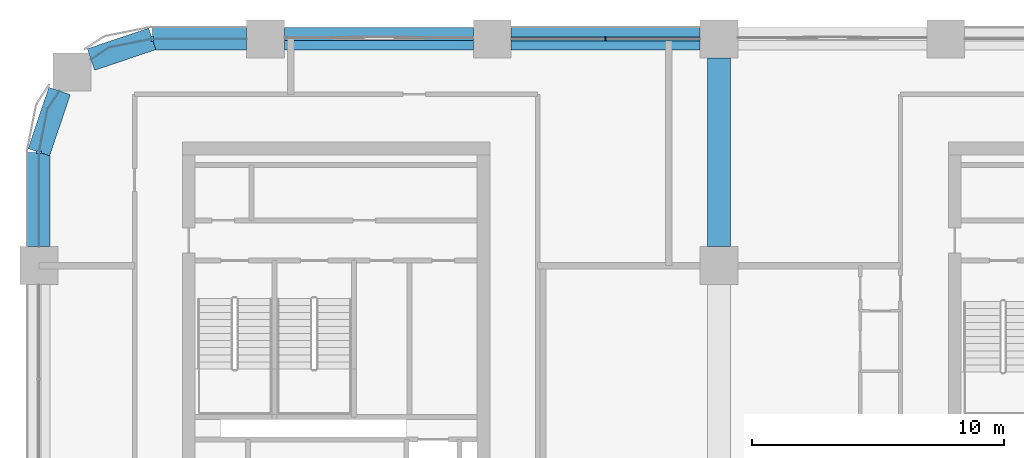
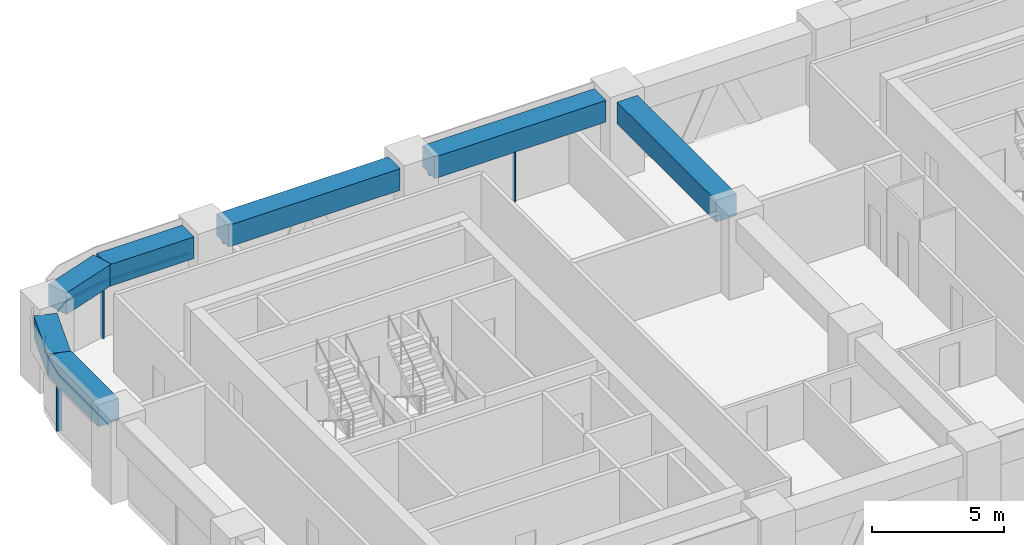
# One storey, part 4 of 19: 7 beams, 7 members, 4 elements without a shape of their own.
"""IFC4 building model written with IfcOpenShell, lengths in metres."""

from ifc_helpers import new_model, si_unit, direction, frame, origin, origin_2d, place, context, subcontext, project, spatial, polyline, rectangle, outline, extrude, material, material_profile, profile_set, type_object, element, aggregate, save


model = new_model("IFC4")

# Units and contexts
model_context = context("Model", 3, precision=1e-05, world=origin(), true_north=direction((0.0, 1.0)))
body_context = subcontext(model_context, "Body", "Model", "MODEL_VIEW")
ifc_project = project(units=[si_unit("LENGTHUNIT", "METRE"), si_unit("AREAUNIT", "SQUARE_METRE"), si_unit("VOLUMEUNIT", "CUBIC_METRE"), si_unit("PLANEANGLEUNIT", "RADIAN"), si_unit("MASSUNIT", "GRAM", prefix="KILO")], contexts=[model_context])

# Site, building, storey
site_placement = place(None, origin())
site = spatial("IfcSite", under=ifc_project, at=site_placement, CompositionType="ELEMENT")
building_placement = place(site_placement, origin())
building = spatial("IfcBuilding", under=site, at=building_placement, Name="Tessera Arch", CompositionType="ELEMENT")
storey_placement = place(building_placement, frame((0.0, 0.0, 170.0)))
storey = spatial("IfcBuildingStorey", under=building, at=storey_placement, Name="L40", CompositionType="ELEMENT", Elevation=170.0)

# Curtain wall, members
ifc_material_1 = material(Name="CW1 curtain wall")
curtain_wall_type_1 = type_object("IfcCurtainWallType", Name="CW1 curtain wall", PredefinedType="NOTDEFINED", material=ifc_material_1)
curtain_wall_1_placement = place(storey_placement, origin())
curtain_wall_1 = element("IfcCurtainWall", 1, at=curtain_wall_1_placement, inside=storey, type_object=curtain_wall_type_1, Name="CW1 curtain wall N54.0/3 L40", PredefinedType="NOTDEFINED")
ifc_material_2 = material(Name="Anodised aluminium pale metal", Category="aluminium")
ifc_material_profile_1 = material_profile(ifc_material_2, rectangle(XDim=0.159912109375, YDim=0.06005859375, at=origin_2d()), Name="AL 60x160")
ifc_profile_set_1 = profile_set([ifc_material_profile_1], Name="Anodised aluminium pale metal")
member_type_1 = type_object("IfcMemberType", Name="CW1 mullion", PredefinedType="MULLION", material=ifc_profile_set_1)
member_1_placement = place(storey_placement, frame((22.5, 54.0, 0.0), z_axis=(0.0, 0.0, 1.0), x_axis=(0.0, -1.0, 0.0)))
member_1 = element("IfcMember", 2, at=member_1_placement, type_object=member_type_1, Name="CW1 mullion N54.0/3 1", PredefinedType="MULLION", context=body_context, shape_type="SweptSolid", body=[
    extrude(rectangle(XDim=0.159912109375, YDim=0.06005859375, at=origin_2d()), origin(), (0.0, 0.0, 1.0), 2.5),
])
ifc_material_3 = material(Name="Anodised aluminium pale metal", Category="aluminium")
ifc_material_profile_2 = material_profile(ifc_material_3, rectangle(XDim=0.159912109375, YDim=0.10009765625, at=origin_2d()), Name="AL 160x100")
ifc_profile_set_2 = profile_set([ifc_material_profile_2], Name="Anodised aluminium pale metal")
member_type_2 = type_object("IfcMemberType", Name="CW1 transom", PredefinedType="USERDEFINED", material=ifc_profile_set_2)
member_2_placement = place(storey_placement, frame((26.25, 54.0, 2.550048828125), z_axis=(-1.0, 0.0, 0.0), x_axis=(0.0, -1.0, 0.0)))
member_2 = element("IfcMember", 3, at=member_2_placement, type_object=member_type_2, Name="CW1 transom N54.0/3 1.1", ObjectType="TRANSOM", PredefinedType="USERDEFINED", context=body_context, shape_type="SweptSolid", body=[
    extrude(rectangle(XDim=0.159912109375, YDim=0.10009765625, at=origin_2d()), origin(), (0.0, 0.0, 1.0), 7.5),
])
aggregate(curtain_wall_1, [member_1, member_2])

# Curtain wall, member
ifc_material_4 = material(Name="CW2 curtain wall")
curtain_wall_type_2 = type_object("IfcCurtainWallType", Name="CW2 curtain wall", PredefinedType="NOTDEFINED", material=ifc_material_4)
curtain_wall_2_placement = place(storey_placement, origin())
curtain_wall_2 = element("IfcCurtainWall", 4, at=curtain_wall_2_placement, inside=storey, type_object=curtain_wall_type_2, Name="CW2 curtain wall N54.0/5 L40", PredefinedType="NOTDEFINED")
ifc_material_5 = material(Name="Anodised aluminium pale metal", Category="aluminium")
ifc_material_profile_3 = material_profile(ifc_material_5, rectangle(XDim=0.199951171875, YDim=0.080078125, at=origin_2d()), Name="AL 80x200")
ifc_profile_set_3 = profile_set([ifc_material_profile_3], Name="Anodised aluminium pale metal")
member_type_3 = type_object("IfcMemberType", Name="CW2 mullion", PredefinedType="MULLION", material=ifc_profile_set_3)
member_3_placement = place(storey_placement, frame((4.5, 54.0, 0.0), z_axis=(0.0, 0.0, 1.0), x_axis=(0.0, -1.0, 0.0)))
member_3 = element("IfcMember", 5, at=member_3_placement, type_object=member_type_3, Name="CW2 mullion N54.0/5 1", PredefinedType="MULLION", context=body_context, shape_type="SweptSolid", body=[
    extrude(rectangle(XDim=0.199951171875, YDim=0.080078125, at=origin_2d()), origin(), (0.0, 0.0, 1.0), 2.5),
])

curtain_wall_3_placement = place(storey_placement, origin())
curtain_wall_3 = element("IfcCurtainWall", 6, at=curtain_wall_3_placement, inside=storey, type_object=curtain_wall_type_2, Name="CW2 curtain wall W0.27/0 L40", PredefinedType="NOTDEFINED")
member_4_placement = place(storey_placement, frame((0.0, 49.5, 0.0), z_axis=(0.0, 0.0, 1.0), x_axis=(1.0, 0.0, 0.0)))
member_4 = element("IfcMember", 7, at=member_4_placement, type_object=member_type_3, Name="CW2 mullion W0.27/0 1", PredefinedType="MULLION", context=body_context, shape_type="SweptSolid", body=[
    extrude(rectangle(XDim=0.199951171875, YDim=0.080078125, at=origin_2d()), origin(), (0.0, 0.0, 1.0), 2.5),
])

# Member
ifc_material_6 = material(Name="Anodised aluminium pale metal", Category="aluminium")
ifc_material_profile_4 = material_profile(ifc_material_6, rectangle(XDim=0.199951171875, YDim=0.10009765625, at=origin_2d()), Name="AL 200x100")
ifc_profile_set_4 = profile_set([ifc_material_profile_4], Name="Anodised aluminium pale metal")
member_type_4 = type_object("IfcMemberType", Name="CW2 transom", PredefinedType="USERDEFINED", material=ifc_profile_set_4)
member_5_placement = place(storey_placement, frame((0.0, 0.0, 2.5)))
member_5 = element("IfcMember", 8, at=member_5_placement, type_object=member_type_4, Name="CW2 transom N54.0/5 1", ObjectType="TRANSOM", PredefinedType="USERDEFINED", context=body_context, shape_type="SweptSolid", body=[
    extrude(outline(polyline([(4.5009765625, 53.989990234375), (8.25, 53.989990234375), (8.25, 54.010009765625), (4.4990234375, 54.010009765625), (2.77392578125, 53.6669921875), (2.0625, 53.19140625), (2.073486328125, 53.1748046875), (2.78173828125, 53.648193359375), (4.5009765625, 53.989990234375)])), origin(), (0.0, 0.0, 1.0), 0.10009765625),
])

aggregate(curtain_wall_2, [member_3, member_5])

member_6_placement = place(storey_placement, frame((0.0, 0.0, 2.5)))
member_6 = element("IfcMember", 9, at=member_6_placement, type_object=member_type_4, Name="CW2 transom W0.27/0 1", ObjectType="TRANSOM", PredefinedType="USERDEFINED", context=body_context, shape_type="SweptSolid", body=[
    extrude(outline(polyline([(0.351806640625, 51.21826171875), (0.8251953125, 51.926513671875), (0.80859375, 51.9375), (0.3330078125, 51.22607421875), (-0.010009765625, 49.5009765625), (-0.010009765625, 45.75), (0.010009765625, 45.75), (0.010009765625, 49.4990234375), (0.351806640625, 51.21826171875)])), origin(), (0.0, 0.0, 1.0), 0.10009765625),
])

aggregate(curtain_wall_3, [member_4, member_6])

# Curtain wall, member
ifc_material_7 = material(Name="CW3 curtain wall")
curtain_wall_type_3 = type_object("IfcCurtainWallType", Name="CW3 curtain wall", PredefinedType="NOTDEFINED", material=ifc_material_7)
curtain_wall_4_placement = place(storey_placement, origin())
curtain_wall_4 = element("IfcCurtainWall", 10, at=curtain_wall_4_placement, inside=storey, type_object=curtain_wall_type_3, Name="CW3 curtain wall N54.0/4 L40", PredefinedType="NOTDEFINED")
ifc_material_8 = material(Name="Anodised aluminium pale metal", Category="aluminium")
ifc_material_profile_5 = material_profile(ifc_material_8, rectangle(XDim=0.139892578125, YDim=0.10009765625, at=origin_2d()), Name="AL 140x100")
ifc_profile_set_5 = profile_set([ifc_material_profile_5], Name="Anodised aluminium pale metal")
member_type_5 = type_object("IfcMemberType", Name="CW3 transom", PredefinedType="USERDEFINED", material=ifc_profile_set_5)
member_7_placement = place(storey_placement, frame((17.25, 54.0, 2.550048828125), z_axis=(-1.0, 0.0, 0.0), x_axis=(0.0, -1.0, 0.0)))
member_7 = element("IfcMember", 11, at=member_7_placement, type_object=member_type_5, Name="CW3 transom N54.0/4 1.1", ObjectType="TRANSOM", PredefinedType="USERDEFINED", context=body_context, shape_type="SweptSolid", body=[
    extrude(rectangle(XDim=0.139892578125, YDim=0.10009765625, at=origin_2d()), origin(), (0.0, 0.0, 1.0), 7.5),
])
aggregate(curtain_wall_4, [member_7])

# Beams
ifc_material_9 = material(Name="Concrete C70/85", Category="concrete")
ifc_material_profile_6 = material_profile(ifc_material_9, rectangle(XDim=0.89990234375, YDim=1.0, at=origin_2d()), Name="RC spandrel beam 900 x 1000 Concrete C70/85")
ifc_profile_set_6 = profile_set([ifc_material_profile_6], Name="Concrete C70/85")
beam_type = type_object("IfcBeamType", Name="RC spandrel beam 900 x 1000 Concrete C70/85", PredefinedType="BEAM", material=ifc_profile_set_6)
for number, where, z_axis, x_axis, name in (
    (12, (26.25, 54.0, 3.10009765625), (-1.0, 0.0, 0.0), (0.0, -1.0, 0.0), "Spandrel beam L40 N54.0/3"),
    (13, (17.25, 54.0, 3.10009765625), (-1.0, 0.0, 0.0), (0.0, -1.0, 0.0), "Spandrel beam L40 N54.0/4"),
):
    element("IfcBeam", number, at=place(storey_placement, frame(where, z_axis=z_axis, x_axis=x_axis)), inside=storey, type_object=beam_type, Name=name, PredefinedType="BEAM", context=body_context, shape_type="SweptSolid", body=[
        extrude(rectangle(XDim=0.89990234375, YDim=1.0, at=origin_2d()), origin(), (0.0, 0.0, 1.0), 7.5),
    ])
beam_1_placement = place(storey_placement, frame((8.25, 54.0, 3.10009765625), z_axis=(-1.0, 0.0, 0.0), x_axis=(0.0, -1.0, 0.0)))
element("IfcBeam", 14, at=beam_1_placement, inside=storey, type_object=beam_type, Name="Spandrel beam L40 N54.0/5.1", PredefinedType="BEAM", context=body_context, shape_type="SweptSolid", body=[
    extrude(rectangle(XDim=0.89990234375, YDim=1.0, at=origin_2d()), origin(), (0.0, 0.0, 1.0), 3.75),
])
for number, where, z_axis, x_axis, name in (
    (15, (4.5, 54.0, 3.10009765625), (-0.947947973234, -0.31842525032, 0.0), (0.31842525032, -0.947947973234, 0.0), "Spandrel beam L40 N54.0/5.2"),
    (16, (0.81689453125, 51.931884765625, 3.10009765625), (-0.31842525032, -0.947947973234, 0.0), (0.947947973234, -0.31842525032, 0.0), "Spandrel beam L40 W0.27/0.1"),
):
    element("IfcBeam", number, at=place(storey_placement, frame(where, z_axis=z_axis, x_axis=x_axis)), inside=storey, type_object=beam_type, Name=name, PredefinedType="BEAM", context=body_context, shape_type="SweptSolid", body=[
        extrude(rectangle(XDim=0.89990234375, YDim=1.0, at=origin_2d()), origin(), (0.0, 0.0, 1.0), 2.5654296875),
    ])
beam_2_placement = place(storey_placement, frame((0.0, 49.5, 3.10009765625), z_axis=(0.0, -1.0, 0.0), x_axis=(1.0, 0.0, 0.0)))
element("IfcBeam", 17, at=beam_2_placement, inside=storey, type_object=beam_type, Name="Spandrel beam L40 W0.27/0.2", PredefinedType="BEAM", context=body_context, shape_type="SweptSolid", body=[
    extrude(rectangle(XDim=0.89990234375, YDim=1.0, at=origin_2d()), origin(), (0.0, 0.0, 1.0), 3.75),
])
beam_3_placement = place(storey_placement, frame((27.0, 45.75, 3.10009765625), z_axis=(0.0, 1.0, 0.0), x_axis=(-1.0, 0.0, 0.0)))
element("IfcBeam", 18, at=beam_3_placement, inside=storey, type_object=beam_type, Name="Interface beam L40 I0C4F-C4G", PredefinedType="BEAM", context=body_context, shape_type="SweptSolid", body=[
    extrude(rectangle(XDim=0.89990234375, YDim=1.0, at=origin_2d()), origin(), (0.0, 0.0, 1.0), 7.5),
])

save(model, "model.ifc")
